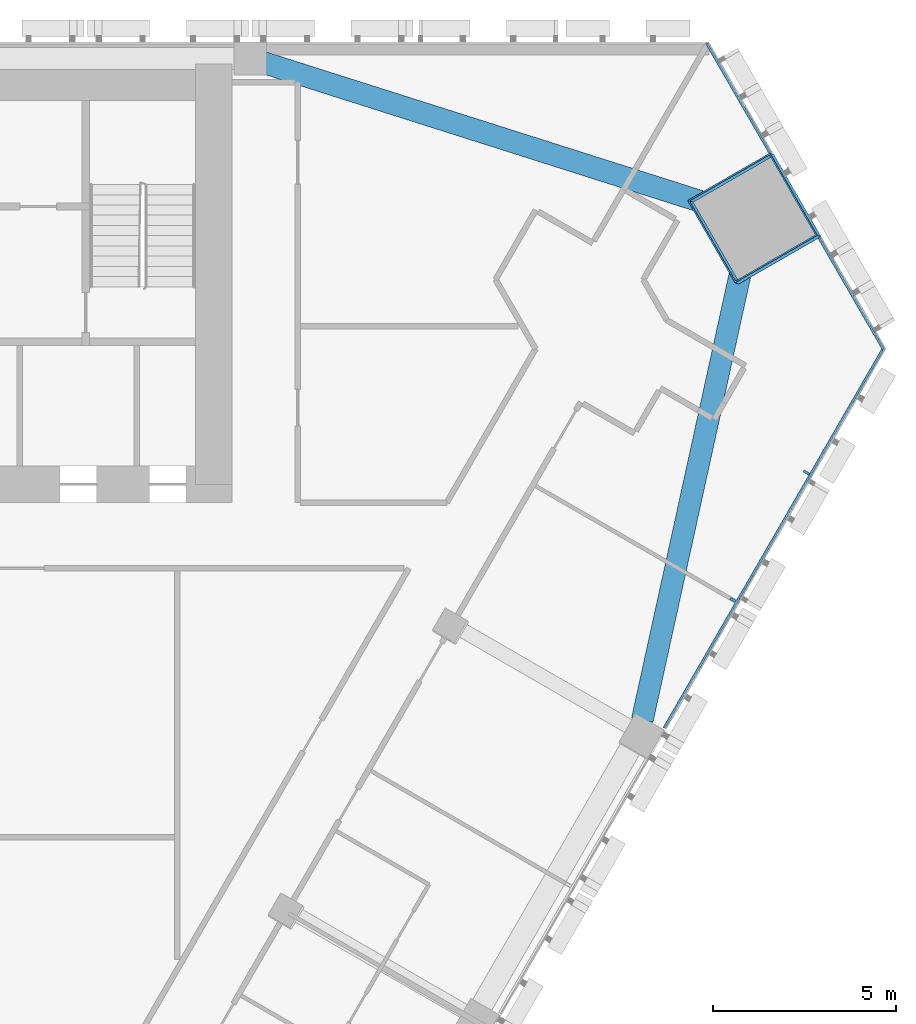
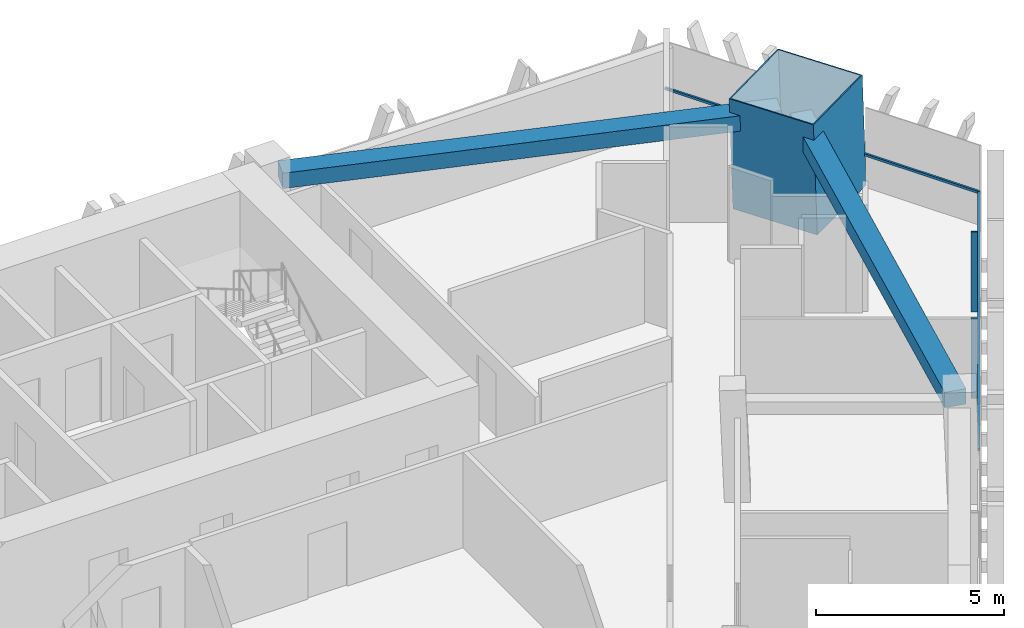
# One storey, part 8 of 18: 6 members, 2 beams, 2 elements without a shape of their own.
"""IFC4 building model written with IfcOpenShell, lengths in metres."""

from ifc_helpers import new_model, si_unit, direction, frame, origin, origin_2d, place, context, subcontext, project, spatial, rectangle, hollow_rectangle, extrude, material, layer, layer_set, material_profile, profile_set, type_object, element, aggregate, save


model = new_model("IFC4")

# Units and contexts
model_context = context("Model", 3, precision=1e-05, world=origin(), true_north=direction((0.0, 1.0)))
body_context = subcontext(model_context, "Body", "Model", "MODEL_VIEW")
ifc_project = project(units=[si_unit("LENGTHUNIT", "METRE"), si_unit("AREAUNIT", "SQUARE_METRE"), si_unit("VOLUMEUNIT", "CUBIC_METRE"), si_unit("PLANEANGLEUNIT", "RADIAN"), si_unit("MASSUNIT", "GRAM", prefix="KILO")], contexts=[model_context])

# Site, building, storey
site_placement = place(None, origin())
site = spatial("IfcSite", under=ifc_project, at=site_placement, CompositionType="ELEMENT")
building_placement = place(site_placement, origin())
building = spatial("IfcBuilding", under=site, at=building_placement, Name="Altiplano Prism Tower", CompositionType="ELEMENT")
storey_placement = place(building_placement, frame((0.0, 0.0, 41.39990234375)))
storey = spatial("IfcBuildingStorey", under=building, at=storey_placement, Name="L09", CompositionType="ELEMENT", Elevation=41.39990234375)

# Curtain wall, members
ifc_material_1 = material(Name="Aluminium and glass", Category="aluminium")
ifc_layer = layer(ifc_material_1, 0.280029296875)
ifc_layer_set = layer_set([ifc_layer], Name="Aluminium and glass")
curtain_wall_type = type_object("IfcCurtainWallType", Name="CW1 typical co-living unitised curtain wall", PredefinedType="NOTDEFINED", material=ifc_layer_set)
curtain_wall_1_placement = place(storey_placement, origin())
curtain_wall_1 = element("IfcCurtainWall", 1, at=curtain_wall_1_placement, inside=storey, type_object=curtain_wall_type, Name="CW1 curtain wall south-east face L09", PredefinedType="NOTDEFINED")
ifc_material_2 = material(Name="Aluminium", Category="aluminium")
ifc_material_profile_1 = material_profile(ifc_material_2, rectangle(XDim=0.179931640625, YDim=0.06494140625, at=origin_2d()), Name="CW1 mullion 65 x 180")
ifc_profile_set_1 = profile_set([ifc_material_profile_1], Name="Aluminium")
member_type_1 = type_object("IfcMemberType", Name="CW1 mullion 65 x 180", PredefinedType="MULLION", material=ifc_profile_set_1)
member_1_placement = place(storey_placement, frame((111.7021484375, 89.737548828125, 0.0), z_axis=(0.0, 0.0, 1.0), x_axis=(-0.866025403584, 0.500000000348, 0.0)))
member_1 = element("IfcMember", 2, at=member_1_placement, type_object=member_type_1, Name="CW1 mullion", PredefinedType="MULLION", context=body_context, shape_type="SweptSolid", body=[
    extrude(rectangle(XDim=0.179931640625, YDim=0.06494140625, at=origin_2d()), origin(), (0.0, 0.0, 1.0), 2.60009765625),
])
member_2_placement = place(storey_placement, frame((113.71240234375, 93.219482421875, 0.0), z_axis=(0.0, 0.0, 1.0), x_axis=(-0.866025403584, 0.500000000348, 0.0)))
member_2 = element("IfcMember", 3, at=member_2_placement, type_object=member_type_1, Name="CW1 mullion", PredefinedType="MULLION", context=body_context, shape_type="SweptSolid", body=[
    extrude(rectangle(XDim=0.179931640625, YDim=0.06494140625, at=origin_2d()), origin(), (0.0, 0.0, 1.0), 2.60009765625),
])
ifc_material_profile_2 = material_profile(ifc_material_2, rectangle(XDim=0.06005859375, YDim=0.080078125, at=origin_2d()), Name="CW1 transom 80 x 60")
ifc_profile_set_2 = profile_set([ifc_material_profile_2], Name="Aluminium")
member_type_2 = type_object("IfcMemberType", Name="CW1 transom 80 x 60", PredefinedType="USERDEFINED", material=ifc_profile_set_2)
member_3_placement = place(storey_placement, frame((109.82080078125, 86.239013671875, 1.10009765625), z_axis=(0.499988715155, 0.866031918994, 0.0), x_axis=(-0.866031918994, 0.499988715155, 0.0)))
member_3 = element("IfcMember", 4, at=member_3_placement, type_object=member_type_2, Name="CW1 transom", ObjectType="TRANSOM", PredefinedType="USERDEFINED", context=body_context, shape_type="SweptSolid", body=[
    extrude(rectangle(XDim=0.06005859375, YDim=0.080078125, at=origin_2d()), origin(), (0.0, 0.0, 1.0), 12.011474609375),
])
aggregate(curtain_wall_1, [member_1, member_2, member_3])

curtain_wall_2_placement = place(storey_placement, origin())
curtain_wall_2 = element("IfcCurtainWall", 5, at=curtain_wall_2_placement, inside=storey, type_object=curtain_wall_type, Name="CW1 curtain wall north-east chamfer L09", PredefinedType="NOTDEFINED")
member_4_placement = place(storey_placement, frame((115.826416015625, 96.5712890625, 1.10009765625), z_axis=(-0.499974747889, 0.866039982607, 0.0), x_axis=(-0.866039982607, -0.499974747889, 0.0)))
member_4 = element("IfcMember", 6, at=member_4_placement, type_object=member_type_2, Name="CW1 transom", ObjectType="TRANSOM", PredefinedType="USERDEFINED", context=body_context, shape_type="SweptSolid", body=[
    extrude(rectangle(XDim=0.06005859375, YDim=0.080078125, at=origin_2d()), origin(), (0.0, 0.0, 1.0), 3.546142578125),
])
member_5_placement = place(storey_placement, frame((112.71337890625, 101.96337890625, 1.10009765625), z_axis=(-0.499972446337, 0.866041311315, 0.0), x_axis=(-0.866041311315, -0.499972446337, 0.0)))
member_5 = element("IfcMember", 7, at=member_5_placement, type_object=member_type_2, Name="CW1 transom", ObjectType="TRANSOM", PredefinedType="USERDEFINED", context=body_context, shape_type="SweptSolid", body=[
    extrude(rectangle(XDim=0.06005859375, YDim=0.080078125, at=origin_2d()), origin(), (0.0, 0.0, 1.0), 3.466064453125),
])
aggregate(curtain_wall_2, [member_4, member_5])

# Beams
ifc_material_3 = material(Name="Concrete C60/75", Category="concrete")
ifc_material_profile_3 = material_profile(ifc_material_3, rectangle(XDim=0.60009765625, YDim=0.5, at=origin_2d()), Name="Edge beam 600x500")
ifc_profile_set_3 = profile_set([ifc_material_profile_3], Name="Concrete C60/75")
beam_type = type_object("IfcBeamType", Name="Edge beam 600x500", PredefinedType="SPANDREL", material=ifc_profile_set_3)
for number, where, z_axis, x_axis, name in (
    (8, (109.222412109375, 86.453125, 2.85009765625), (0.214323813921, 0.976762664513, 0.0), (-0.976762664513, 0.214323813921, 0.0), "Edge beam P24-M2 L10"),
    (9, (111.80712890625, 100.32275390625, 2.85009765625), (-0.953067262297, 0.302758639082, 0.0), (-0.302758639082, -0.953067262297, 0.0), "Edge beam M2-P01 L10"),
):
    element("IfcBeam", number, at=place(storey_placement, frame(where, z_axis=z_axis, x_axis=x_axis)), inside=storey, type_object=beam_type, Name=name, PredefinedType="SPANDREL", context=body_context, shape_type="SweptSolid", body=[
        extrude(rectangle(XDim=0.60009765625, YDim=0.5, at=origin_2d()), origin(), (0.0, 0.0, 1.0), 13.610107421875),
    ])

# Member
ifc_material_4 = material(Name="Steel S460", Category="steel")
ifc_material_profile_4 = material_profile(ifc_material_4, hollow_rectangle(XDim=2.60009765625, YDim=2.60009765625, WallThickness=0.0400390625, at=origin_2d()), Name="Mega column tube 2600")
ifc_profile_set_4 = profile_set([ifc_material_profile_4], Name="Steel S460")
member_type_3 = type_object("IfcMemberType", Name="Mega column tube 2600", PredefinedType="POST", material=ifc_profile_set_4)
member_6_placement = place(storey_placement, frame((112.338134765625, 100.153076171875, 0.0), z_axis=(-0.028334066552, 0.009286524205, 0.999555371723), x_axis=(0.498272969513, -0.866736541076, 0.022176929837)))
element("IfcMember", 10, at=member_6_placement, inside=storey, type_object=member_type_3, Name="Mega column tube M2 L09", PredefinedType="POST", context=body_context, shape_type="SweptSolid", body=[
    extrude(hollow_rectangle(XDim=2.60009765625, YDim=2.60009765625, WallThickness=0.0400390625, at=origin_2d()), origin(), (0.0, 0.0, 1.0), 3.601806640625),
])

save(model, "model.ifc")
